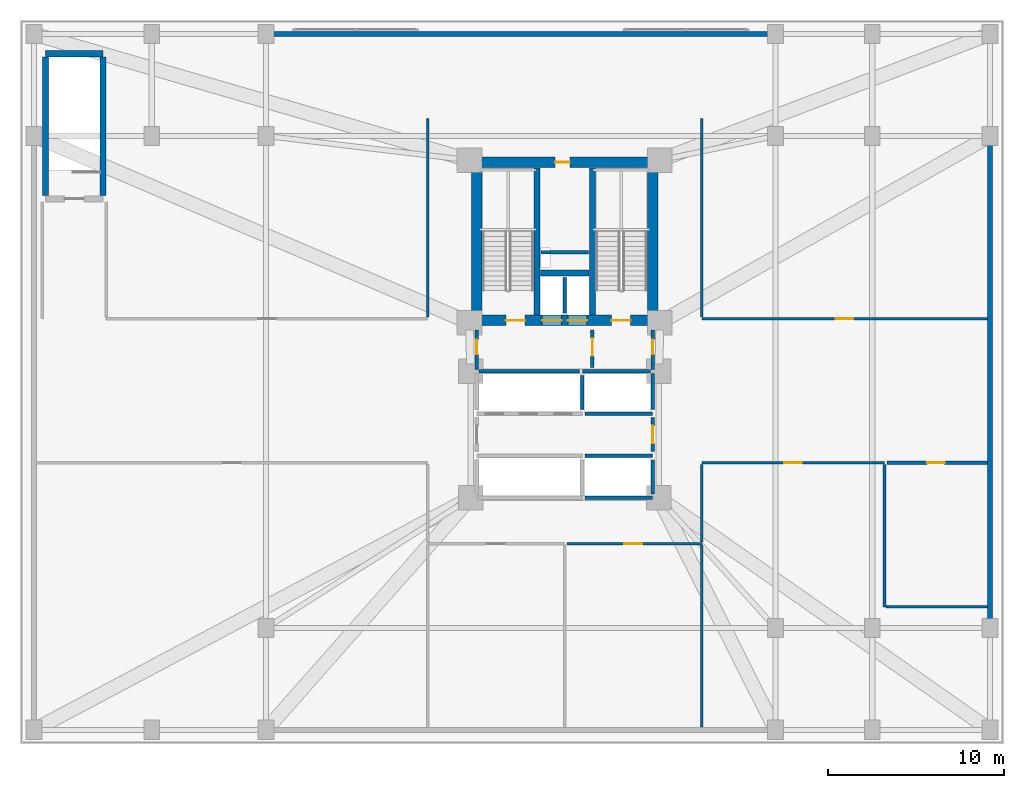
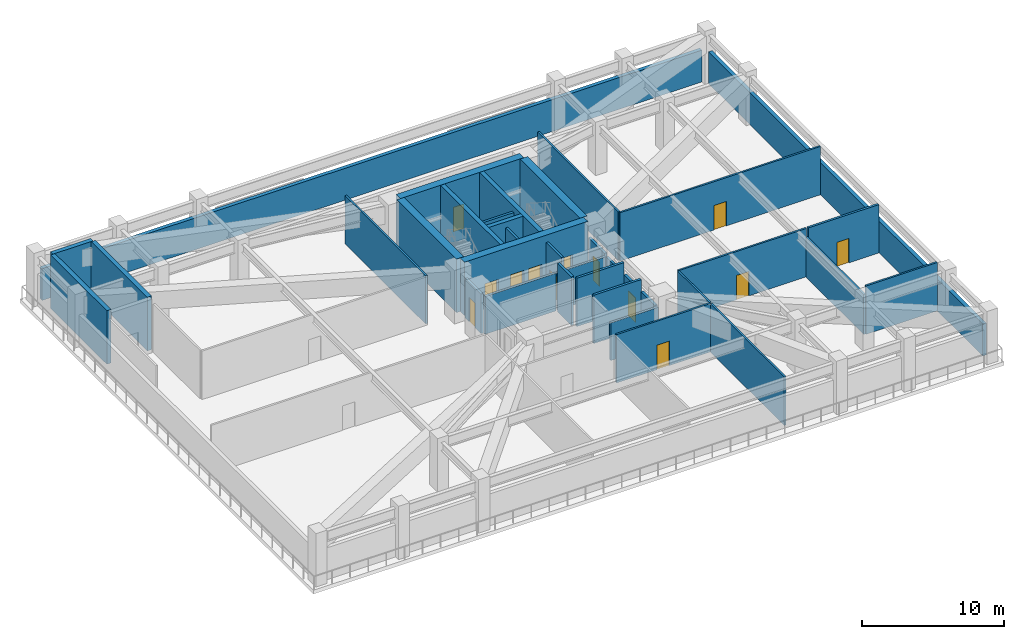
# One storey, part 6 of 9: 36 walls, 13 doors, 13 openings.
"""IFC4 building model written with IfcOpenShell, lengths in metres."""

from ifc_helpers import new_model, si_unit, direction, frame, frame_2d, origin, place, context, subcontext, project, spatial, rectangle, extrude, material, layer, layer_set, type_object, element, fill, save


model = new_model("IFC4")

# Units and contexts
model_context = context("Model", 3, precision=1e-05, world=origin(), true_north=direction((0.0, 1.0)))
body_context = subcontext(model_context, "Body", "Model", "MODEL_VIEW")
ifc_project = project(units=[si_unit("LENGTHUNIT", "METRE"), si_unit("AREAUNIT", "SQUARE_METRE"), si_unit("VOLUMEUNIT", "CUBIC_METRE"), si_unit("PLANEANGLEUNIT", "RADIAN"), si_unit("MASSUNIT", "GRAM", prefix="KILO")], contexts=[model_context])

# Site, building, storey
site_placement = place(None, origin())
site = spatial("IfcSite", under=ifc_project, at=site_placement, CompositionType="ELEMENT")
building_placement = place(site_placement, origin())
building = spatial("IfcBuilding", under=site, at=building_placement, Name="Varnakorn Sky Granary", CompositionType="ELEMENT")
storey_placement = place(building_placement, frame((0.0, 0.0, 23.0)))
storey = spatial("IfcBuildingStorey", under=building, at=storey_placement, Name="L05", CompositionType="ELEMENT", Elevation=23.0)

# Walls
ifc_material_1 = material(Name="Concrete C50/60", Category="concrete")
ifc_layer_1 = layer(ifc_material_1, 0.35009765625, Name="Concrete C50/60")
ifc_layer_set_1 = layer_set([ifc_layer_1], Name="Concrete C50/60")
wall_type_1 = type_object("IfcWallType", Name="WT-CW-INT-350", PredefinedType="SHEAR", material=ifc_layer_set_1)
wall_1_placement = place(storey_placement, frame((-26.550048828125, 18.679931640625, 0.0), z_axis=(0.0, 0.0, 1.0), x_axis=(1.0, 0.0, 0.0)))
element("IfcWall", 1, at=wall_1_placement, inside=storey, type_object=wall_type_1, Name="Podium Stair ST-B3 North Wall L05", PredefinedType="SHEAR", context=body_context, shape_type="SweptSolid", body=[
    extrude(rectangle(XDim=3.280029296875, YDim=0.35009765625, at=frame_2d((1.64013671875, 0.0))), origin(), (0.0, 0.0, 1.0), 4.592041015625),
])
for number, where, z_axis, x_axis, name in (
    (2, (-26.550048828125, 10.610107421875, 0.0), (0.0, 0.0, 1.0), (0.0, 1.0, 0.0), "Podium Stair ST-B3 West Wall L05"),
    (3, (-23.27001953125, 10.610107421875, 0.0), (0.0, 0.0, 1.0), (0.0, 1.0, 0.0), "Podium Stair ST-B3 East Wall L05"),
):
    element("IfcWall", number, at=place(storey_placement, frame(where, z_axis=z_axis, x_axis=x_axis)), inside=storey, type_object=wall_type_1, Name=name, PredefinedType="SHEAR", context=body_context, shape_type="SweptSolid", body=[
        extrude(rectangle(XDim=7.8798828125, YDim=0.35009765625, at=frame_2d((3.93994140625, 0.0))), origin(), (0.0, 0.0, 1.0), 4.592041015625),
    ])
for number, where, z_axis, x_axis, name in (
    (4, (1.419921875, 3.81005859375, 0.0), (0.0, 0.0, 1.0), (0.0, 1.0, 0.0), "Stair ST-1 Core Wall L05"),
    (5, (4.580078125, 3.81005859375, 0.0), (0.0, 0.0, 1.0), (0.0, 1.0, 0.0), "Stair ST-2 Core Wall L05"),
):
    element("IfcWall", number, at=place(storey_placement, frame(where, z_axis=z_axis, x_axis=x_axis)), inside=storey, type_object=wall_type_1, Name=name, PredefinedType="SHEAR", context=body_context, shape_type="SweptSolid", body=[
        extrude(rectangle(XDim=8.3798828125, YDim=0.35009765625, at=frame_2d((4.18994140625, 0.0))), origin(), (0.0, 0.0, 1.0), 4.592041015625),
    ])
wall_2_placement = place(storey_placement, frame((1.610107421875, 6.199951171875, 0.0), z_axis=(0.0, 0.0, 1.0), x_axis=(1.0, 0.0, 0.0)))
element("IfcWall", 6, at=wall_2_placement, inside=storey, type_object=wall_type_1, Name="Core Lift Shaft Cross Wall L05", PredefinedType="SHEAR", context=body_context, shape_type="SweptSolid", body=[
    extrude(rectangle(XDim=2.77978515625, YDim=0.35009765625, at=frame_2d((1.389892578125, 0.0))), origin(), (0.0, 0.0, 1.0), 4.592041015625),
])

# Wall, openings, doors
ifc_material_2 = material(Name="Concrete C60/75", Category="concrete")
ifc_layer_2 = layer(ifc_material_2, 0.60009765625, Name="Concrete C60/75")
ifc_layer_set_2 = layer_set([ifc_layer_2], Name="Concrete C60/75")
wall_type_2 = type_object("IfcWallType", Name="WT-CW-SHEAR-600", PredefinedType="SHEAR", material=ifc_layer_set_2)
wall_3_placement = place(storey_placement, frame((-2.0, 3.5, 0.0), z_axis=(0.0, 0.0, 1.0), x_axis=(1.0, 0.0, 0.0)))
wall_3 = element("IfcWall", 7, at=wall_3_placement, inside=storey, type_object=wall_type_2, Name="Core South Shear Wall L05", PredefinedType="SHEAR", context=body_context, shape_type="SweptSolid", body=[
    extrude(rectangle(XDim=10.0, YDim=0.60009765625, at=frame_2d((5.0, 0.0))), origin(), (0.0, 0.0, 1.0), 4.592041015625),
])
opening_1_placement = place(wall_3_placement, frame((1.64990234375, 0.0, 0.0)))
opening_1 = element("IfcOpeningElement", 8, at=opening_1_placement, cuts=wall_3, Name="Opening FD-90", PredefinedType="OPENING", context=body_context, shape_type="SweptSolid", body=[
    extrude(rectangle(XDim=1.10009765625, YDim=2.14990234375, at=frame_2d((0.550048828125, 1.074951171875))), frame((0.0, 0.31005859375, 0.0), z_axis=(0.0, -1.0, 0.0), x_axis=(1.0, 0.0, 0.0)), (0.0, 0.0, 1.0), 0.6201171875),
])
opening_2_placement = place(wall_3_placement, frame((7.64990234375, 0.0, 0.0)))
opening_2 = element("IfcOpeningElement", 9, at=opening_2_placement, cuts=wall_3, Name="Opening FD-90", PredefinedType="OPENING", context=body_context, shape_type="SweptSolid", body=[
    extrude(rectangle(XDim=1.10009765625, YDim=2.14990234375, at=frame_2d((0.550048828125, 1.074951171875))), frame((0.0, 0.31005859375, 0.0), z_axis=(0.0, -1.0, 0.0), x_axis=(1.0, 0.0, 0.0)), (0.0, 0.0, 1.0), 0.6201171875),
])
opening_3_placement = place(wall_3_placement, frame((3.719970703125, 0.0, 0.0)))
opening_3 = element("IfcOpeningElement", 10, at=opening_3_placement, cuts=wall_3, Name="Opening LD-01", PredefinedType="OPENING", context=body_context, shape_type="SweptSolid", body=[
    extrude(rectangle(XDim=1.10009765625, YDim=2.199951171875, at=frame_2d((0.550048828125, 1.10009765625))), frame((0.0, 0.31005859375, 0.0), z_axis=(0.0, -1.0, 0.0), x_axis=(1.0, 0.0, 0.0)), (0.0, 0.0, 1.0), 0.6201171875),
])
opening_4_placement = place(wall_3_placement, frame((5.179931640625, 0.0, 0.0)))
opening_4 = element("IfcOpeningElement", 11, at=opening_4_placement, cuts=wall_3, Name="Opening LD-01", PredefinedType="OPENING", context=body_context, shape_type="SweptSolid", body=[
    extrude(rectangle(XDim=1.10009765625, YDim=2.199951171875, at=frame_2d((0.550048828125, 1.10009765625))), frame((0.0, 0.31005859375, 0.0), z_axis=(0.0, -1.0, 0.0), x_axis=(1.0, 0.0, 0.0)), (0.0, 0.0, 1.0), 0.6201171875),
])
ifc_material_3 = material(Name="Brushed Bronze Stainless Steel", Category="steel")
door_type_1 = type_object("IfcDoorType", Name="DR-LD-1100", OperationType="DOUBLE_DOOR_SLIDING", PredefinedType="DOOR", material=ifc_material_3)
door_1_placement = place(opening_3_placement, origin())
door_1 = element("IfcDoor", 12, at=door_1_placement, inside=storey, type_object=door_type_1, Name="Firefighting Lift FFL-1 Landing Door L05", OperationType="DOUBLE_DOOR_SLIDING", OverallHeight=2.199951171875, OverallWidth=1.10009765625, PredefinedType="DOOR", context=body_context, shape_type="SweptSolid", body=[
    extrude(rectangle(XDim=1.10009765625, YDim=2.199951171875, at=frame_2d((0.550048828125, 1.10009765625))), frame((0.0, 0.02490234375, 0.0), z_axis=(0.0, -1.0, 0.0), x_axis=(1.0, 0.0, 0.0)), (0.0, 0.0, 1.0), 0.050048828125),
])
fill(opening_3, door_1)
door_2_placement = place(opening_4_placement, origin())
door_2 = element("IfcDoor", 13, at=door_2_placement, inside=storey, type_object=door_type_1, Name="Firefighting Lift FFL-2 Landing Door L05", OperationType="DOUBLE_DOOR_SLIDING", OverallHeight=2.199951171875, OverallWidth=1.10009765625, PredefinedType="DOOR", context=body_context, shape_type="SweptSolid", body=[
    extrude(rectangle(XDim=1.10009765625, YDim=2.199951171875, at=frame_2d((0.550048828125, 1.10009765625))), frame((0.0, 0.02490234375, 0.0), z_axis=(0.0, -1.0, 0.0), x_axis=(1.0, 0.0, 0.0)), (0.0, 0.0, 1.0), 0.050048828125),
])
fill(opening_4, door_2)
ifc_material_4 = material(Name="Galvanised Painted Steel Leaf", Category="steel")
door_type_2 = type_object("IfcDoorType", Name="DR-STAIR-1100", OperationType="NOTDEFINED", PredefinedType="DOOR", material=ifc_material_4)
door_3_placement = place(opening_1_placement, origin())
door_3 = element("IfcDoor", 14, at=door_3_placement, inside=storey, type_object=door_type_2, Name="Stair ST-1 Protected Fire Door L05", OperationType="SINGLE_SWING_LEFT", OverallHeight=2.14990234375, OverallWidth=1.10009765625, PredefinedType="DOOR", context=body_context, shape_type="SweptSolid", body=[
    extrude(rectangle(XDim=1.10009765625, YDim=2.14990234375, at=frame_2d((0.550048828125, 1.074951171875))), frame((0.0, 0.02490234375, 0.0), z_axis=(0.0, -1.0, 0.0), x_axis=(1.0, 0.0, 0.0)), (0.0, 0.0, 1.0), 0.050048828125),
])
fill(opening_1, door_3)
door_4_placement = place(opening_2_placement, origin())
door_4 = element("IfcDoor", 15, at=door_4_placement, inside=storey, type_object=door_type_2, Name="Stair ST-2 Protected Fire Door L05", OperationType="SINGLE_SWING_RIGHT", OverallHeight=2.14990234375, OverallWidth=1.10009765625, PredefinedType="DOOR", context=body_context, shape_type="SweptSolid", body=[
    extrude(rectangle(XDim=1.10009765625, YDim=2.14990234375, at=frame_2d((0.550048828125, 1.074951171875))), frame((0.0, 0.02490234375, 0.0), z_axis=(0.0, -1.0, 0.0), x_axis=(1.0, 0.0, 0.0)), (0.0, 0.0, 1.0), 0.050048828125),
])
fill(opening_2, door_4)

# Wall, opening, door
wall_4_placement = place(storey_placement, frame((-2.0, 12.5, 0.0), z_axis=(0.0, 0.0, 1.0), x_axis=(1.0, 0.0, 0.0)))
wall_4 = element("IfcWall", 16, at=wall_4_placement, inside=storey, type_object=wall_type_2, Name="Core North Shear Wall L05", PredefinedType="SHEAR", context=body_context, shape_type="SweptSolid", body=[
    extrude(rectangle(XDim=10.0, YDim=0.60009765625, at=frame_2d((5.0, 0.0))), origin(), (0.0, 0.0, 1.0), 4.592041015625),
])
opening_5_placement = place(wall_4_placement, frame((4.449951171875, 0.0, 0.0)))
opening_5 = element("IfcOpeningElement", 17, at=opening_5_placement, cuts=wall_4, Name="Opening FD-60N", PredefinedType="OPENING", context=body_context, shape_type="SweptSolid", body=[
    extrude(rectangle(XDim=0.85009765625, YDim=2.10009765625, at=frame_2d((0.425048828125, 1.050048828125))), frame((0.0, 0.31005859375, 0.0), z_axis=(0.0, -1.0, 0.0), x_axis=(1.0, 0.0, 0.0)), (0.0, 0.0, 1.0), 0.6201171875),
])
ifc_material_5 = material(Name="Acoustic Timber Fire Leaf", Category="wood")
door_type_3 = type_object("IfcDoorType", Name="DR-FD60-850", OperationType="NOTDEFINED", PredefinedType="DOOR", material=ifc_material_5)
door_5_placement = place(opening_5_placement, origin())
door_5 = element("IfcDoor", 18, at=door_5_placement, inside=storey, type_object=door_type_3, Name="Core North Service Door L05", OperationType="SINGLE_SWING_LEFT", OverallHeight=2.10009765625, OverallWidth=0.85009765625, PredefinedType="DOOR", context=body_context, shape_type="SweptSolid", body=[
    extrude(rectangle(XDim=0.85009765625, YDim=2.10009765625, at=frame_2d((0.425048828125, 1.050048828125))), frame((0.0, 0.02490234375, 0.0), z_axis=(0.0, -1.0, 0.0), x_axis=(1.0, 0.0, 0.0)), (0.0, 0.0, 1.0), 0.050048828125),
])
fill(opening_5, door_5)

# Walls
for number, where, z_axis, x_axis, name in (
    (19, (-2.0, 3.81005859375, 0.0), (0.0, 0.0, 1.0), (0.0, 1.0, 0.0), "Core West Shear Wall L05"),
    (20, (8.0, 3.81005859375, 0.0), (0.0, 0.0, 1.0), (0.0, 1.0, 0.0), "Core East Shear Wall L05"),
):
    element("IfcWall", number, at=place(storey_placement, frame(where, z_axis=z_axis, x_axis=x_axis)), inside=storey, type_object=wall_type_2, Name=name, PredefinedType="SHEAR", context=body_context, shape_type="SweptSolid", body=[
        extrude(rectangle(XDim=8.3798828125, YDim=0.60009765625, at=frame_2d((4.18994140625, 0.0))), origin(), (0.0, 0.0, 1.0), 4.592041015625),
    ])
ifc_material_6 = material(Name="Precast concrete C40/50", Category="concrete")
ifc_layer_3 = layer(ifc_material_6, 0.300048828125, Name="Precast concrete C40/50")
ifc_layer_set_3 = layer_set([ifc_layer_3], Name="Precast concrete C40/50")
wall_type_3 = type_object("IfcWallType", Name="WT-EW-POD-300", PredefinedType="SOLIDWALL", material=ifc_layer_set_3)
wall_5_placement = place(storey_placement, frame((-26.7548828125, 19.800048828125, 0.0), z_axis=(0.0, 0.0, 1.0), x_axis=(1.0, 0.0, 0.0)))
element("IfcWall", 21, at=wall_5_placement, inside=storey, type_object=wall_type_3, Name="Podium Exterior Facade Wall L05-N", PredefinedType="SOLIDWALL", context=body_context, shape_type="SweptSolid", body=[
    extrude(rectangle(XDim=53.509765625, YDim=0.300048828125, at=frame_2d((26.7548828125, 0.0))), origin(), (0.0, 0.0, 1.0), 2.72998046875),
])
wall_6_placement = place(storey_placement, frame((27.199951171875, 19.2548828125, 0.0), z_axis=(0.0, 0.0, 1.0), x_axis=(0.0, -1.0, 0.0)))
element("IfcWall", 22, at=wall_6_placement, inside=storey, type_object=wall_type_3, Name="Podium Exterior Facade Wall L05-E", PredefinedType="SOLIDWALL", context=body_context, shape_type="SweptSolid", body=[
    extrude(rectangle(XDim=38.509765625, YDim=0.300048828125, at=frame_2d((19.2548828125, 0.0))), origin(), (0.0, 0.0, 1.0), 2.72998046875),
])

# Wall, opening, door
ifc_material_7 = material(Name="Autoclaved Aerated Concrete Blockwork", Category="masonry")
ifc_layer_4 = layer(ifc_material_7, 0.199951171875, Name="Autoclaved Aerated Concrete Blockwork")
ifc_layer_set_4 = layer_set([ifc_layer_4], Name="Autoclaved Aerated Concrete Blockwork")
wall_type_4 = type_object("IfcWallType", Name="WT-FIRE-200", PredefinedType="MOVABLE", material=ifc_layer_set_4)
wall_7_placement = place(storey_placement, frame((4.580078125, 0.830078125, 0.0), z_axis=(0.0, 0.0, 1.0), x_axis=(0.0, 1.0, 0.0)))
wall_7 = element("IfcWall", 23, at=wall_7_placement, inside=storey, type_object=wall_type_4, Name="Interior Partition Wall L05-016", PredefinedType="MOVABLE", context=body_context, shape_type="SweptSolid", body=[
    extrude(rectangle(XDim=2.139892578125, YDim=0.199951171875, at=frame_2d((1.06982421875, 0.0))), origin(), (0.0, 0.0, 1.0), 4.14990234375),
])
opening_6_placement = place(wall_7_placement, frame((0.659912109375, 0.0, 0.0)))
opening_6 = element("IfcOpeningElement", 24, at=opening_6_placement, cuts=wall_7, Name="Opening FD-60", PredefinedType="OPENING", context=body_context, shape_type="SweptSolid", body=[
    extrude(rectangle(XDim=1.0, YDim=2.10009765625, at=frame_2d((0.5, 1.050048828125))), frame((0.0, 0.10986328125, 0.0), z_axis=(0.0, -1.0, 0.0), x_axis=(1.0, 0.0, 0.0)), (0.0, 0.0, 1.0), 0.219970703125),
])
door_type_4 = type_object("IfcDoorType", Name="DR-FD60-1000", OperationType="NOTDEFINED", PredefinedType="DOOR", material=ifc_material_5)
door_6_placement = place(opening_6_placement, origin())
door_6 = element("IfcDoor", 25, at=door_6_placement, inside=storey, type_object=door_type_4, Name="Interior Door L05-016-1", OperationType="SINGLE_SWING_LEFT", OverallHeight=2.10009765625, OverallWidth=1.0, PredefinedType="DOOR", context=body_context, shape_type="SweptSolid", body=[
    extrude(rectangle(XDim=1.0, YDim=2.10009765625, at=frame_2d((0.5, 1.050048828125))), frame((0.0, 0.02490234375, 0.0), z_axis=(0.0, -1.0, 0.0), x_axis=(1.0, 0.0, 0.0)), (0.0, 0.0, 1.0), 0.050048828125),
])
fill(opening_6, door_6)

wall_8_placement = place(storey_placement, frame((-2.0, 0.719970703125, 0.0), z_axis=(0.0, 0.0, 1.0), x_axis=(0.0, 1.0, 0.0)))
wall_8 = element("IfcWall", 26, at=wall_8_placement, inside=storey, type_object=wall_type_4, Name="Interior Partition Wall L05-017", PredefinedType="MOVABLE", context=body_context, shape_type="SweptSolid", body=[
    extrude(rectangle(XDim=2.25, YDim=0.199951171875, at=frame_2d((1.125, 0.0))), origin(), (0.0, 0.0, 1.0), 3.382080078125),
])
opening_7_placement = place(wall_8_placement, frame((0.844970703125, 0.0, 0.0)))
opening_7 = element("IfcOpeningElement", 27, at=opening_7_placement, cuts=wall_8, Name="Opening FD-60N", PredefinedType="OPENING", context=body_context, shape_type="SweptSolid", body=[
    extrude(rectangle(XDim=0.85009765625, YDim=2.10009765625, at=frame_2d((0.425048828125, 1.050048828125))), frame((0.0, 0.10986328125, 0.0), z_axis=(0.0, -1.0, 0.0), x_axis=(1.0, 0.0, 0.0)), (0.0, 0.0, 1.0), 0.219970703125),
])
door_7_placement = place(opening_7_placement, origin())
door_7 = element("IfcDoor", 28, at=door_7_placement, inside=storey, type_object=door_type_3, Name="Interior Door L05-017-1", OperationType="SINGLE_SWING_RIGHT", OverallHeight=2.10009765625, OverallWidth=0.85009765625, PredefinedType="DOOR", context=body_context, shape_type="SweptSolid", body=[
    extrude(rectangle(XDim=0.85009765625, YDim=2.10009765625, at=frame_2d((0.425048828125, 1.050048828125))), frame((0.0, 0.02490234375, 0.0), z_axis=(0.0, -1.0, 0.0), x_axis=(1.0, 0.0, 0.0)), (0.0, 0.0, 1.0), 0.050048828125),
])
fill(opening_7, door_7)

wall_9_placement = place(storey_placement, frame((8.0, 0.719970703125, 0.0), z_axis=(0.0, 0.0, 1.0), x_axis=(0.0, 1.0, 0.0)))
wall_9 = element("IfcWall", 29, at=wall_9_placement, inside=storey, type_object=wall_type_4, Name="Interior Partition Wall L05-018", PredefinedType="MOVABLE", context=body_context, shape_type="SweptSolid", body=[
    extrude(rectangle(XDim=2.25, YDim=0.199951171875, at=frame_2d((1.125, 0.0))), origin(), (0.0, 0.0, 1.0), 3.382080078125),
])
opening_8_placement = place(wall_9_placement, frame((0.844970703125, 0.0, 0.0)))
opening_8 = element("IfcOpeningElement", 30, at=opening_8_placement, cuts=wall_9, Name="Opening FD-60N", PredefinedType="OPENING", context=body_context, shape_type="SweptSolid", body=[
    extrude(rectangle(XDim=0.85009765625, YDim=2.10009765625, at=frame_2d((0.425048828125, 1.050048828125))), frame((0.0, 0.10986328125, 0.0), z_axis=(0.0, -1.0, 0.0), x_axis=(1.0, 0.0, 0.0)), (0.0, 0.0, 1.0), 0.219970703125),
])
door_8_placement = place(opening_8_placement, origin())
door_8 = element("IfcDoor", 31, at=door_8_placement, inside=storey, type_object=door_type_3, Name="Interior Door L05-018-1", OperationType="SINGLE_SWING_LEFT", OverallHeight=2.10009765625, OverallWidth=0.85009765625, PredefinedType="DOOR", context=body_context, shape_type="SweptSolid", body=[
    extrude(rectangle(XDim=0.85009765625, YDim=2.10009765625, at=frame_2d((0.425048828125, 1.050048828125))), frame((0.0, 0.02490234375, 0.0), z_axis=(0.0, -1.0, 0.0), x_axis=(1.0, 0.0, 0.0)), (0.0, 0.0, 1.0), 0.050048828125),
])
fill(opening_8, door_8)

wall_10_placement = place(storey_placement, frame((8.0, -3.969970703125, 0.0), z_axis=(0.0, 0.0, 1.0), x_axis=(0.0, 1.0, 0.0)))
wall_10 = element("IfcWall", 32, at=wall_10_placement, inside=storey, type_object=wall_type_4, Name="Interior Partition Wall L05-020", PredefinedType="MOVABLE", context=body_context, shape_type="SweptSolid", body=[
    extrude(rectangle(XDim=1.93994140625, YDim=0.199951171875, at=frame_2d((0.969970703125, 0.0))), origin(), (0.0, 0.0, 1.0), 3.23193359375),
])
opening_9_placement = place(wall_10_placement, frame((0.469970703125, 0.0, 0.0)))
opening_9 = element("IfcOpeningElement", 33, at=opening_9_placement, cuts=wall_10, Name="Opening FD-60", PredefinedType="OPENING", context=body_context, shape_type="SweptSolid", body=[
    extrude(rectangle(XDim=1.0, YDim=2.10009765625, at=frame_2d((0.5, 1.050048828125))), frame((0.0, 0.10986328125, 0.0), z_axis=(0.0, -1.0, 0.0), x_axis=(1.0, 0.0, 0.0)), (0.0, 0.0, 1.0), 0.219970703125),
])
door_9_placement = place(opening_9_placement, origin())
door_9 = element("IfcDoor", 34, at=door_9_placement, inside=storey, type_object=door_type_4, Name="Interior Door L05-020-1", OperationType="SINGLE_SWING_LEFT", OverallHeight=2.10009765625, OverallWidth=1.0, PredefinedType="DOOR", context=body_context, shape_type="SweptSolid", body=[
    extrude(rectangle(XDim=1.0, YDim=2.10009765625, at=frame_2d((0.5, 1.050048828125))), frame((0.0, 0.02490234375, 0.0), z_axis=(0.0, -1.0, 0.0), x_axis=(1.0, 0.0, 0.0)), (0.0, 0.0, 1.0), 0.050048828125),
])
fill(opening_9, door_9)

# Wall
wall_11_placement = place(storey_placement, frame((-1.8798828125, 0.60009765625, 0.0), z_axis=(0.0, 0.0, 1.0), x_axis=(1.0, 0.0, 0.0)))
element("IfcWall", 35, at=wall_11_placement, inside=storey, type_object=wall_type_4, Name="Interior Partition Wall L05-028", PredefinedType="MOVABLE", context=body_context, shape_type="SweptSolid", body=[
    extrude(rectangle(XDim=5.719970703125, YDim=0.199951171875, at=frame_2d((2.85986328125, 0.0))), origin(), (0.0, 0.0, 1.0), 3.23193359375),
])

# Wall, opening, door
ifc_material_8 = material(Name="Gypsum Plasterboard on Steel Stud", Category="steel")
ifc_layer_5 = layer(ifc_material_8, 0.14990234375, Name="Gypsum Plasterboard on Steel Stud")
ifc_layer_set_5 = layer_set([ifc_layer_5], Name="Gypsum Plasterboard on Steel Stud")
wall_type_5 = type_object("IfcWallType", Name="WT-PART-150", PredefinedType="PARTITIONING", material=ifc_layer_set_5)
wall_12_placement = place(storey_placement, frame((27.050048828125, 3.60009765625, 0.0), z_axis=(0.0, 0.0, 1.0), x_axis=(-1.0, 0.0, 0.0)))
wall_12 = element("IfcWall", 36, at=wall_12_placement, inside=storey, type_object=wall_type_5, Name="Interior Partition Wall L05-022", PredefinedType="PARTITIONING", context=body_context, shape_type="SweptSolid", body=[
    extrude(rectangle(XDim=16.25, YDim=0.14990234375, at=frame_2d((8.125, 0.0))), origin(), (0.0, 0.0, 1.0), 4.14990234375),
])
opening_10_placement = place(wall_12_placement, frame((7.625, 0.0, 0.0)))
opening_10 = element("IfcOpeningElement", 37, at=opening_10_placement, cuts=wall_12, Name="Opening ID-100", PredefinedType="OPENING", context=body_context, shape_type="SweptSolid", body=[
    extrude(rectangle(XDim=1.0, YDim=2.10009765625, at=frame_2d((0.5, 1.050048828125))), frame((0.0, 0.0849609375, 0.0), z_axis=(0.0, -1.0, 0.0), x_axis=(1.0, 0.0, 0.0)), (0.0, 0.0, 1.0), 0.169921875),
])
ifc_material_9 = material(Name="Solid-Core Teak Veneer Leaf", Category="timber")
door_type_5 = type_object("IfcDoorType", Name="DR-INT-1000", OperationType="NOTDEFINED", PredefinedType="DOOR", material=ifc_material_9)
door_10_placement = place(opening_10_placement, origin())
door_10 = element("IfcDoor", 38, at=door_10_placement, inside=storey, type_object=door_type_5, Name="Interior Door L05-022-1", OperationType="SINGLE_SWING_LEFT", OverallHeight=2.10009765625, OverallWidth=1.0, PredefinedType="DOOR", context=body_context, shape_type="SweptSolid", body=[
    extrude(rectangle(XDim=1.0, YDim=2.10009765625, at=frame_2d((0.5, 1.050048828125))), frame((0.0, 0.02490234375, 0.0), z_axis=(0.0, -1.0, 0.0), x_axis=(1.0, 0.0, 0.0)), (0.0, 0.0, 1.0), 0.050048828125),
])
fill(opening_10, door_10)

wall_13_placement = place(storey_placement, frame((10.800048828125, -4.60009765625, 0.0), z_axis=(0.0, 0.0, 1.0), x_axis=(1.0, 0.0, 0.0)))
wall_13 = element("IfcWall", 39, at=wall_13_placement, inside=storey, type_object=wall_type_5, Name="Interior Partition Wall L05-024", PredefinedType="PARTITIONING", context=body_context, shape_type="SweptSolid", body=[
    extrude(rectangle(XDim=10.39990234375, YDim=0.14990234375, at=frame_2d((5.199951171875, 0.0))), origin(), (0.0, 0.0, 1.0), 4.14990234375),
])
opening_11_placement = place(wall_13_placement, frame((4.699951171875, 0.0, 0.0)))
opening_11 = element("IfcOpeningElement", 40, at=opening_11_placement, cuts=wall_13, Name="Opening ID-100", PredefinedType="OPENING", context=body_context, shape_type="SweptSolid", body=[
    extrude(rectangle(XDim=1.0, YDim=2.10009765625, at=frame_2d((0.5, 1.050048828125))), frame((0.0, 0.0849609375, 0.0), z_axis=(0.0, -1.0, 0.0), x_axis=(1.0, 0.0, 0.0)), (0.0, 0.0, 1.0), 0.169921875),
])
door_11_placement = place(opening_11_placement, origin())
door_11 = element("IfcDoor", 41, at=door_11_placement, inside=storey, type_object=door_type_5, Name="Interior Door L05-024-1", OperationType="SINGLE_SWING_LEFT", OverallHeight=2.10009765625, OverallWidth=1.0, PredefinedType="DOOR", context=body_context, shape_type="SweptSolid", body=[
    extrude(rectangle(XDim=1.0, YDim=2.10009765625, at=frame_2d((0.5, 1.050048828125))), frame((0.0, 0.02490234375, 0.0), z_axis=(0.0, -1.0, 0.0), x_axis=(1.0, 0.0, 0.0)), (0.0, 0.0, 1.0), 0.050048828125),
])
fill(opening_11, door_11)

wall_14_placement = place(storey_placement, frame((3.135009765625, -9.199951171875, 0.0), z_axis=(0.0, 0.0, 1.0), x_axis=(1.0, 0.0, 0.0)))
wall_14 = element("IfcWall", 42, at=wall_14_placement, inside=storey, type_object=wall_type_5, Name="Interior Partition Wall L05-027", PredefinedType="PARTITIONING", context=body_context, shape_type="SweptSolid", body=[
    extrude(rectangle(XDim=7.6650390625, YDim=0.14990234375, at=frame_2d((3.83251953125, 0.0))), origin(), (0.0, 0.0, 1.0), 4.14990234375),
])
opening_12_placement = place(wall_14_placement, frame((3.264892578125, 0.0, 0.0)))
opening_12 = element("IfcOpeningElement", 43, at=opening_12_placement, cuts=wall_14, Name="Opening ID-100", PredefinedType="OPENING", context=body_context, shape_type="SweptSolid", body=[
    extrude(rectangle(XDim=1.0, YDim=2.10009765625, at=frame_2d((0.5, 1.050048828125))), frame((0.0, 0.0849609375, 0.0), z_axis=(0.0, -1.0, 0.0), x_axis=(1.0, 0.0, 0.0)), (0.0, 0.0, 1.0), 0.169921875),
])
door_12_placement = place(opening_12_placement, origin())
door_12 = element("IfcDoor", 44, at=door_12_placement, inside=storey, type_object=door_type_5, Name="Interior Door L05-027-1", OperationType="SINGLE_SWING_RIGHT", OverallHeight=2.10009765625, OverallWidth=1.0, PredefinedType="DOOR", context=body_context, shape_type="SweptSolid", body=[
    extrude(rectangle(XDim=1.0, YDim=2.10009765625, at=frame_2d((0.5, 1.050048828125))), frame((0.0, 0.02490234375, 0.0), z_axis=(0.0, -1.0, 0.0), x_axis=(1.0, 0.0, 0.0)), (0.0, 0.0, 1.0), 0.050048828125),
])
fill(opening_12, door_12)

# Walls
for number, where, z_axis, x_axis, name in (
    (45, (-4.800048828125, 15.0, 0.0), (0.0, 0.0, 1.0), (0.0, -1.0, 0.0), "Interior Partition Wall L05-029"),
    (46, (10.800048828125, 3.68505859375, 0.0), (0.0, 0.0, 1.0), (0.0, 1.0, 0.0), "Interior Partition Wall L05-032"),
):
    element("IfcWall", number, at=place(storey_placement, frame(where, z_axis=z_axis, x_axis=x_axis)), inside=storey, type_object=wall_type_5, Name=name, PredefinedType="PARTITIONING", context=body_context, shape_type="SweptSolid", body=[
        extrude(rectangle(XDim=11.31494140625, YDim=0.14990234375, at=frame_2d((5.657470703125, 0.0))), origin(), (0.0, 0.0, 1.0), 4.14990234375),
    ])
wall_15_placement = place(storey_placement, frame((10.800048828125, -9.114990234375, 0.0), z_axis=(0.0, 0.0, 1.0), x_axis=(0.0, 1.0, 0.0)))
element("IfcWall", 47, at=wall_15_placement, inside=storey, type_object=wall_type_5, Name="Interior Partition Wall L05-034", PredefinedType="PARTITIONING", context=body_context, shape_type="SweptSolid", body=[
    extrude(rectangle(XDim=4.429931640625, YDim=0.14990234375, at=frame_2d((2.21484375, 0.0))), origin(), (0.0, 0.0, 1.0), 4.14990234375),
])
wall_16_placement = place(storey_placement, frame((21.199951171875, -4.68505859375, 0.0), z_axis=(0.0, 0.0, 1.0), x_axis=(0.0, -1.0, 0.0)))
element("IfcWall", 48, at=wall_16_placement, inside=storey, type_object=wall_type_5, Name="Interior Partition Wall L05-036", PredefinedType="PARTITIONING", context=body_context, shape_type="SweptSolid", body=[
    extrude(rectangle(XDim=8.114990234375, YDim=0.14990234375, at=frame_2d((4.0576171875, 0.0))), origin(), (0.0, 0.0, 1.0), 3.431884765625),
])
wall_17_placement = place(storey_placement, frame((21.284912109375, -12.800048828125, 0.0), z_axis=(0.0, 0.0, 1.0), x_axis=(1.0, 0.0, 0.0)))
element("IfcWall", 49, at=wall_17_placement, inside=storey, type_object=wall_type_5, Name="Interior Partition Wall L05-037", PredefinedType="PARTITIONING", context=body_context, shape_type="SweptSolid", body=[
    extrude(rectangle(XDim=5.76513671875, YDim=0.14990234375, at=frame_2d((2.882568359375, 0.0))), origin(), (0.0, 0.0, 1.0), 4.14990234375),
])
wall_18_placement = place(storey_placement, frame((10.800048828125, -19.64990234375, 0.0), z_axis=(0.0, 0.0, 1.0), x_axis=(0.0, 1.0, 0.0)))
element("IfcWall", 50, at=wall_18_placement, inside=storey, type_object=wall_type_5, Name="Interior Partition Wall L05-038", PredefinedType="PARTITIONING", context=body_context, shape_type="SweptSolid", body=[
    extrude(rectangle(XDim=10.364990234375, YDim=0.14990234375, at=frame_2d((5.1826171875, 0.0))), origin(), (0.0, 0.0, 1.0), 4.14990234375),
])

# Wall, opening, door
ifc_material_10 = material(Name="Moisture-Resistant Gypsum on Stud", Category="gypsum")
ifc_layer_6 = layer(ifc_material_10, 0.179931640625, Name="Moisture-Resistant Gypsum on Stud")
ifc_layer_set_6 = layer_set([ifc_layer_6], Name="Moisture-Resistant Gypsum on Stud")
wall_type_6 = type_object("IfcWallType", Name="WT-PLUMB-180", PredefinedType="PLUMBINGWALL", material=ifc_layer_set_6)
wall_19_placement = place(storey_placement, frame((21.3349609375, -4.60009765625, 0.0), z_axis=(0.0, 0.0, 1.0), x_axis=(1.0, 0.0, 0.0)))
wall_19 = element("IfcWall", 51, at=wall_19_placement, inside=storey, type_object=wall_type_6, Name="Interior Partition Wall L05-025", PredefinedType="PLUMBINGWALL", context=body_context, shape_type="SweptSolid", body=[
    extrude(rectangle(XDim=5.715087890625, YDim=0.179931640625, at=frame_2d((2.857421875, 0.0))), origin(), (0.0, 0.0, 1.0), 4.14990234375),
])
opening_13_placement = place(wall_19_placement, frame((2.2900390625, 0.0, 0.0)))
opening_13 = element("IfcOpeningElement", 52, at=opening_13_placement, cuts=wall_19, Name="Opening ID-100", PredefinedType="OPENING", context=body_context, shape_type="SweptSolid", body=[
    extrude(rectangle(XDim=1.0, YDim=2.10009765625, at=frame_2d((0.5, 1.050048828125))), frame((0.0, 0.10009765625, 0.0), z_axis=(0.0, -1.0, 0.0), x_axis=(1.0, 0.0, 0.0)), (0.0, 0.0, 1.0), 0.199951171875),
])
door_13_placement = place(opening_13_placement, origin())
door_13 = element("IfcDoor", 53, at=door_13_placement, inside=storey, type_object=door_type_5, Name="Interior Door L05-025-1", OperationType="SINGLE_SWING_RIGHT", OverallHeight=2.10009765625, OverallWidth=1.0, PredefinedType="DOOR", context=body_context, shape_type="SweptSolid", body=[
    extrude(rectangle(XDim=1.0, YDim=2.10009765625, at=frame_2d((0.5, 1.050048828125))), frame((0.0, 0.02490234375, 0.0), z_axis=(0.0, -1.0, 0.0), x_axis=(1.0, 0.0, 0.0)), (0.0, 0.0, 1.0), 0.050048828125),
])
fill(opening_13, door_13)

# Walls
ifc_layer_7 = layer(ifc_material_7, 0.199951171875, Name="Autoclaved Aerated Concrete Blockwork")
ifc_layer_set_7 = layer_set([ifc_layer_7], Name="Autoclaved Aerated Concrete Blockwork")
wall_type_7 = type_object("IfcWallType", Name="WT-SHAFT-200", PredefinedType="SOLIDWALL", material=ifc_layer_set_7)
wall_20_placement = place(storey_placement, frame((3.0, 3.919921875, 0.0), z_axis=(0.0, 0.0, 1.0), x_axis=(0.0, 1.0, 0.0)))
element("IfcWall", 54, at=wall_20_placement, inside=storey, type_object=wall_type_7, Name="Interior Partition Wall L05-001", PredefinedType="SOLIDWALL", context=body_context, shape_type="SweptSolid", body=[
    extrude(rectangle(XDim=2.030029296875, YDim=0.199951171875, at=frame_2d((1.01513671875, 0.0))), origin(), (0.0, 0.0, 1.0), 4.14990234375),
])
wall_21_placement = place(storey_placement, frame((1.64990234375, 7.3798828125, 0.0), z_axis=(0.0, 0.0, 1.0), x_axis=(1.0, 0.0, 0.0)))
element("IfcWall", 55, at=wall_21_placement, inside=storey, type_object=wall_type_7, Name="Interior Partition Wall L05-002", PredefinedType="SOLIDWALL", context=body_context, shape_type="SweptSolid", body=[
    extrude(rectangle(XDim=2.7001953125, YDim=0.199951171875, at=frame_2d((1.35009765625, 0.0))), origin(), (0.0, 0.0, 1.0), 4.14990234375),
])
wall_22_placement = place(storey_placement, frame((4.0, 0.60009765625, 0.0), z_axis=(0.0, 0.0, 1.0), x_axis=(1.0, 0.0, 0.0)))
element("IfcWall", 56, at=wall_22_placement, inside=storey, type_object=wall_type_7, Name="Interior Partition Wall L05-003", PredefinedType="SOLIDWALL", context=body_context, shape_type="SweptSolid", body=[
    extrude(rectangle(XDim=3.8798828125, YDim=0.199951171875, at=frame_2d((1.93994140625, 0.0))), origin(), (0.0, 0.0, 1.0), 3.23193359375),
])
wall_23_placement = place(storey_placement, frame((4.159912109375, -1.800048828125, 0.0), z_axis=(0.0, 0.0, 1.0), x_axis=(1.0, 0.0, 0.0)))
element("IfcWall", 57, at=wall_23_placement, inside=storey, type_object=wall_type_7, Name="Interior Partition Wall L05-006", PredefinedType="SOLIDWALL", context=body_context, shape_type="SweptSolid", body=[
    extrude(rectangle(XDim=3.840087890625, YDim=0.199951171875, at=frame_2d((1.919921875, 0.0))), origin(), (0.0, 0.0, 1.0), 4.14990234375),
])
wall_24_placement = place(storey_placement, frame((4.0, -1.570068359375, 0.0), z_axis=(0.0, 0.0, 1.0), x_axis=(0.0, 1.0, 0.0)))
element("IfcWall", 58, at=wall_24_placement, inside=storey, type_object=wall_type_7, Name="Interior Partition Wall L05-007", PredefinedType="SOLIDWALL", context=body_context, shape_type="SweptSolid", body=[
    extrude(rectangle(XDim=1.940185546875, YDim=0.199951171875, at=frame_2d((0.97021484375, 0.0))), origin(), (0.0, 0.0, 1.0), 4.14990234375),
])
wall_25_placement = place(storey_placement, frame((8.0, -1.570068359375, 0.0), z_axis=(0.0, 0.0, 1.0), x_axis=(0.0, 1.0, 0.0)))
element("IfcWall", 59, at=wall_25_placement, inside=storey, type_object=wall_type_7, Name="Interior Partition Wall L05-008", PredefinedType="SOLIDWALL", context=body_context, shape_type="SweptSolid", body=[
    extrude(rectangle(XDim=2.050048828125, YDim=0.199951171875, at=frame_2d((1.02490234375, 0.0))), origin(), (0.0, 0.0, 1.0), 3.23193359375),
])
wall_26_placement = place(storey_placement, frame((4.159912109375, -4.199951171875, 0.0), z_axis=(0.0, 0.0, 1.0), x_axis=(1.0, 0.0, 0.0)))
element("IfcWall", 60, at=wall_26_placement, inside=storey, type_object=wall_type_7, Name="Interior Partition Wall L05-012", PredefinedType="SOLIDWALL", context=body_context, shape_type="SweptSolid", body=[
    extrude(rectangle(XDim=3.840087890625, YDim=0.199951171875, at=frame_2d((1.919921875, 0.0))), origin(), (0.0, 0.0, 1.0), 4.14990234375),
])
wall_27_placement = place(storey_placement, frame((4.159912109375, -6.60009765625, 0.0), z_axis=(0.0, 0.0, 1.0), x_axis=(1.0, 0.0, 0.0)))
element("IfcWall", 61, at=wall_27_placement, inside=storey, type_object=wall_type_7, Name="Interior Partition Wall L05-013", PredefinedType="SOLIDWALL", context=body_context, shape_type="SweptSolid", body=[
    extrude(rectangle(XDim=3.840087890625, YDim=0.199951171875, at=frame_2d((1.919921875, 0.0))), origin(), (0.0, 0.0, 1.0), 3.23193359375),
])
wall_28_placement = place(storey_placement, frame((8.0, -6.3701171875, 0.0), z_axis=(0.0, 0.0, 1.0), x_axis=(0.0, 1.0, 0.0)))
element("IfcWall", 62, at=wall_28_placement, inside=storey, type_object=wall_type_7, Name="Interior Partition Wall L05-015", PredefinedType="SOLIDWALL", context=body_context, shape_type="SweptSolid", body=[
    extrude(rectangle(XDim=1.940185546875, YDim=0.199951171875, at=frame_2d((0.97021484375, 0.0))), origin(), (0.0, 0.0, 1.0), 3.23193359375),
])

save(model, "model.ifc")
